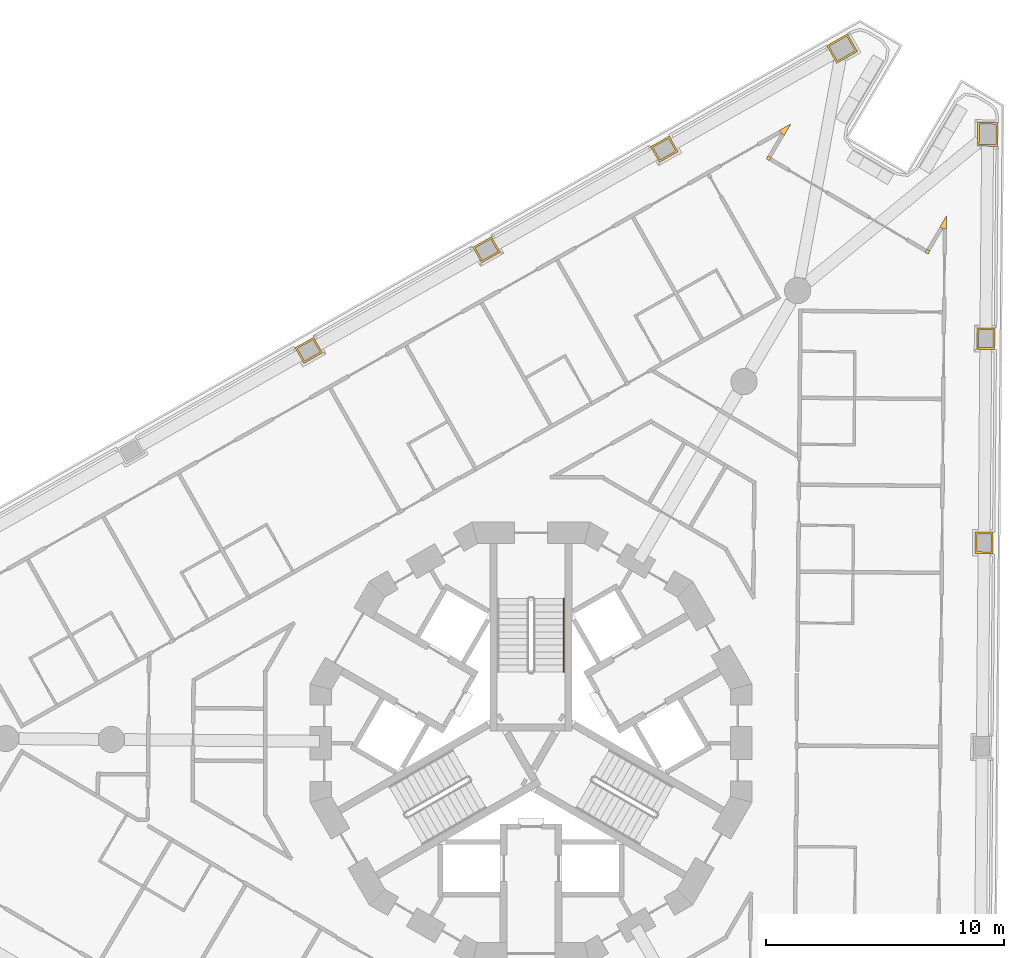
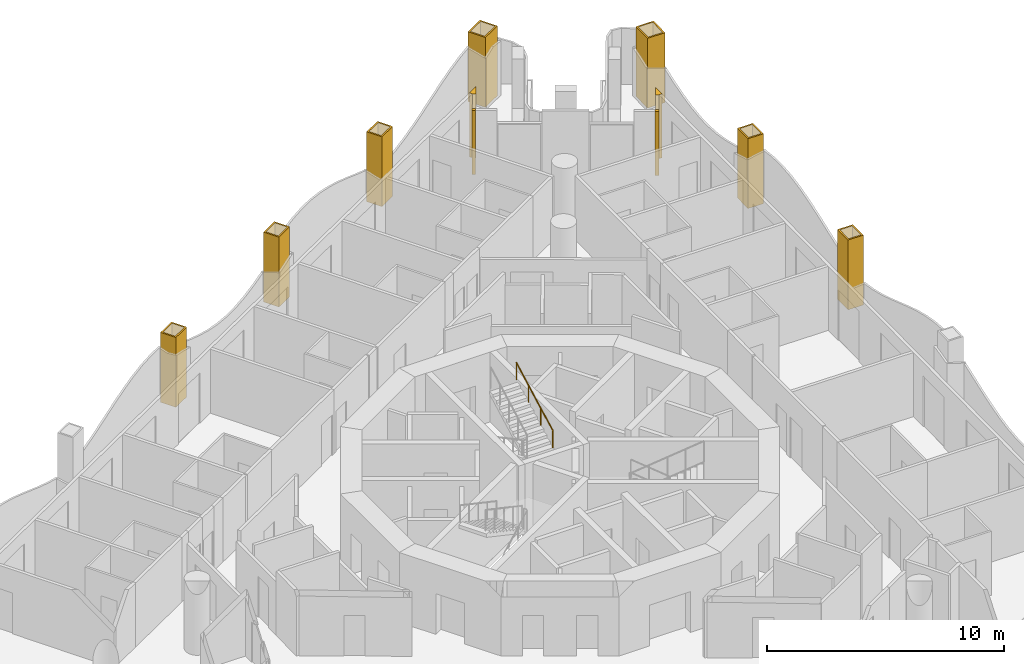
# One storey, part 17 of 18: 11 coverings, 1 railing.
"""IFC4 building model written with IfcOpenShell, lengths in metres."""

from ifc_helpers import new_model, si_unit, direction, frame, origin, origin_2d, place, context, subcontext, project, spatial, polyline, circle, outline, extrude, material, layer, layer_set, type_object, element, save


model = new_model("IFC4")

# Units and contexts
model_context = context("Model", 3, precision=1e-05, world=origin(), true_north=direction((0.0, 1.0)))
body_context = subcontext(model_context, "Body", "Model", "MODEL_VIEW")
ifc_project = project(units=[si_unit("LENGTHUNIT", "METRE"), si_unit("AREAUNIT", "SQUARE_METRE"), si_unit("VOLUMEUNIT", "CUBIC_METRE"), si_unit("PLANEANGLEUNIT", "RADIAN"), si_unit("MASSUNIT", "GRAM", prefix="KILO")], contexts=[model_context])

# Site, building, storey
site_placement = place(None, origin())
site = spatial("IfcSite", under=ifc_project, at=site_placement, CompositionType="ELEMENT")
building_placement = place(site_placement, origin())
building = spatial("IfcBuilding", under=site, at=building_placement, Name="Trine Commons Tower", CompositionType="ELEMENT")
storey_placement = place(building_placement, frame((0.0, 0.0, 175.5)))
storey = spatial("IfcBuildingStorey", under=building, at=storey_placement, Name="L45", CompositionType="ELEMENT", Elevation=175.5)

# Coverings
ifc_material_1 = material(Name="Aluminium-framed insulated wall panel", Category="aluminium")
ifc_layer_1 = layer(ifc_material_1, 0.14990234375)
ifc_layer_set_1 = layer_set([ifc_layer_1], Name="Aluminium-framed insulated wall panel")
covering_type_1 = type_object("IfcCoveringType", Name="Glazing corner post, aluminium", PredefinedType="CLADDING", material=ifc_layer_set_1)
covering_1_placement = place(storey_placement, origin())
element("IfcCovering", 1, at=covering_1_placement, inside=storey, type_object=covering_type_1, Name="Glazing corner post 5-05", PredefinedType="CLADDING", context=body_context, shape_type="SweptSolid", body=[
    extrude(outline(polyline([(90.626220703125, 88.007080078125), (90.910400390625, 88.489501953125), (90.423095703125, 88.213623046875), (90.496826171875, 88.083251953125), (90.626220703125, 88.007080078125)])), origin(), (0.0, 0.0, 1.0), 3.300048828125),
])
covering_2_placement = place(storey_placement, origin())
element("IfcCovering", 2, at=covering_2_placement, inside=storey, type_object=covering_type_1, Name="Glazing corner post 5-06", PredefinedType="CLADDING", context=body_context, shape_type="SweptSolid", body=[
    extrude(outline(polyline([(89.9990234375, 86.9423828125), (90.0751953125, 87.071533203125), (89.94580078125, 87.147705078125), (89.86962890625, 87.018310546875), (89.9990234375, 86.9423828125)])), origin(), (0.0, 0.0, 1.0), 3.300048828125),
])
covering_3_placement = place(storey_placement, origin())
element("IfcCovering", 3, at=covering_3_placement, inside=storey, type_object=covering_type_1, Name="Glazing corner post 5-07", PredefinedType="CLADDING", context=body_context, shape_type="SweptSolid", body=[
    extrude(outline(polyline([(96.530029296875, 83.09521484375), (96.659423828125, 83.01904296875), (96.735595703125, 83.148193359375), (96.606201171875, 83.224365234375), (96.530029296875, 83.09521484375)])), origin(), (0.0, 0.0, 1.0), 3.300048828125),
])
covering_4_placement = place(storey_placement, origin())
element("IfcCovering", 4, at=covering_4_placement, inside=storey, type_object=covering_type_1, Name="Glazing corner post 5-08", PredefinedType="CLADDING", context=body_context, shape_type="SweptSolid", body=[
    extrude(outline(polyline([(97.4365234375, 84.08251953125), (97.44140625, 84.64208984375), (97.1572265625, 84.159912109375), (97.28662109375, 84.083740234375), (97.4365234375, 84.08251953125)])), origin(), (0.0, 0.0, 1.0), 3.300048828125),
])
ifc_material_2 = material(Name="Limestone, honed", Category="masonry")
ifc_layer_2 = layer(ifc_material_2, 0.074951171875)
ifc_layer_set_2 = layer_set([ifc_layer_2], Name="Limestone, honed")
covering_type_2 = type_object("IfcCoveringType", Name="Limestone column cladding 75", PredefinedType="CLADDING", material=ifc_layer_set_2)
covering_5_placement = place(storey_placement, origin())
element("IfcCovering", 5, at=covering_5_placement, inside=storey, type_object=covering_type_2, Name="Limestone pier cladding 5-11", PredefinedType="CLADDING", context=body_context, shape_type="SweptSolid", body=[
    extrude(outline(polyline([(71.2509765625, 78.877685546875), (70.881591796875, 79.530517578125), (70.098388671875, 79.087158203125), (70.4677734375, 78.434326171875), (71.2509765625, 78.877685546875)]), holes=[polyline([(71.148681640625, 78.906005859375), (70.853515625, 79.42822265625), (70.20068359375, 79.058837890625), (70.49609375, 78.53662109375), (71.148681640625, 78.906005859375)])]), origin(), (0.0, 0.0, 1.0), 3.60009765625),
])
covering_6_placement = place(storey_placement, origin())
element("IfcCovering", 6, at=covering_6_placement, inside=storey, type_object=covering_type_2, Name="Limestone pier cladding 5-12", PredefinedType="CLADDING", context=body_context, shape_type="SweptSolid", body=[
    extrude(outline(polyline([(78.71044921875, 83.097900390625), (78.34130859375, 83.750732421875), (77.557861328125, 83.3076171875), (77.92724609375, 82.65478515625), (78.71044921875, 83.097900390625)]), holes=[polyline([(78.6083984375, 83.12646484375), (78.31298828125, 83.648681640625), (77.66015625, 83.279296875), (77.95556640625, 82.757080078125), (78.6083984375, 83.12646484375)])]), origin(), (0.0, 0.0, 1.0), 3.60009765625),
])
covering_7_placement = place(storey_placement, origin())
element("IfcCovering", 7, at=covering_7_placement, inside=storey, type_object=covering_type_2, Name="Limestone pier cladding 5-13", PredefinedType="CLADDING", context=body_context, shape_type="SweptSolid", body=[
    extrude(outline(polyline([(86.169921875, 87.318359375), (85.80078125, 87.97119140625), (85.017333984375, 87.52783203125), (85.38671875, 86.875), (86.169921875, 87.318359375)]), holes=[polyline([(86.06787109375, 87.3466796875), (85.7724609375, 87.868896484375), (85.11962890625, 87.49951171875), (85.4150390625, 86.977294921875), (86.06787109375, 87.3466796875)])]), origin(), (0.0, 0.0, 1.0), 3.60009765625),
])
covering_8_placement = place(storey_placement, origin())
element("IfcCovering", 8, at=covering_8_placement, inside=storey, type_object=covering_type_2, Name="Limestone pier cladding 5-14", PredefinedType="CLADDING", context=body_context, shape_type="SweptSolid", body=[
    extrude(outline(polyline([(93.697509765625, 91.519775390625), (93.279052734375, 92.259521484375), (92.40869140625, 91.76708984375), (92.8271484375, 91.02734375), (93.697509765625, 91.519775390625)]), holes=[polyline([(93.59521484375, 91.548095703125), (93.250732421875, 92.157470703125), (92.510986328125, 91.73876953125), (92.85546875, 91.129638671875), (93.59521484375, 91.548095703125)])]), origin(), (0.0, 0.0, 1.0), 3.60009765625),
])
covering_9_placement = place(storey_placement, origin())
element("IfcCovering", 9, at=covering_9_placement, inside=storey, type_object=covering_type_2, Name="Limestone pier cladding 5-15", PredefinedType="CLADDING", context=body_context, shape_type="SweptSolid", body=[
    extrude(outline(polyline([(99.590576171875, 88.5419921875), (98.740478515625, 88.54931640625), (98.73193359375, 87.54931640625), (99.581787109375, 87.5419921875), (99.590576171875, 88.5419921875)]), holes=[polyline([(99.514892578125, 88.467529296875), (98.81494140625, 88.4736328125), (98.8076171875, 87.623779296875), (99.507568359375, 87.61767578125), (99.514892578125, 88.467529296875)])]), origin(), (0.0, 0.0, 1.0), 3.60009765625),
])
covering_10_placement = place(storey_placement, origin())
element("IfcCovering", 10, at=covering_10_placement, inside=storey, type_object=covering_type_2, Name="Limestone pier cladding 5-16", PredefinedType="CLADDING", context=body_context, shape_type="SweptSolid", body=[
    extrude(outline(polyline([(99.46533203125, 79.922119140625), (98.71533203125, 79.9287109375), (98.70751953125, 79.028564453125), (99.45751953125, 79.02197265625), (99.46533203125, 79.922119140625)]), holes=[polyline([(99.3896484375, 79.84765625), (98.789794921875, 79.852783203125), (98.783203125, 79.102783203125), (99.383056640625, 79.09765625), (99.3896484375, 79.84765625)])]), origin(), (0.0, 0.0, 1.0), 3.60009765625),
])
covering_11_placement = place(storey_placement, origin())
element("IfcCovering", 11, at=covering_11_placement, inside=storey, type_object=covering_type_2, Name="Limestone pier cladding 5-17", PredefinedType="CLADDING", context=body_context, shape_type="SweptSolid", body=[
    extrude(outline(polyline([(99.390380859375, 71.351806640625), (98.640380859375, 71.3583984375), (98.6328125, 70.458251953125), (99.3828125, 70.45166015625), (99.390380859375, 71.351806640625)]), holes=[polyline([(99.31494140625, 71.27734375), (98.71484375, 71.28271484375), (98.708251953125, 70.53271484375), (99.308349609375, 70.52734375), (99.31494140625, 71.27734375)])]), origin(), (0.0, 0.0, 1.0), 3.60009765625),
])

# Railing
ifc_material_3 = material(Name="Stainless steel handrail", Category="steel")
railing_type = type_object("IfcRailingType", Name="Stair handrail, steel 900", PredefinedType="HANDRAIL", material=ifc_material_3)
railing_placement = place(storey_placement, frame((81.375, 65.490478515625, 1.949951171875)))
element("IfcRailing", 12, at=railing_placement, inside=storey, type_object=railing_type, Name="L45 ST1B stair handrail 2", PredefinedType="HANDRAIL", context=body_context, shape_type="SweptSolid", body=[
    extrude(circle(Radius=0.02099609375, at=origin_2d()), frame((0.0, 0.0, 0.87890625), z_axis=(0.0, 0.881467505477, 0.472244678941), x_axis=(-1.0, 0.0, 0.0)), (0.0, 0.0, 1.0), 3.494140625),
    extrude(circle(Radius=0.01513671875, at=origin_2d()), origin(), (0.0, 0.0, 1.0), 0.85791015625),
    extrude(circle(Radius=0.01513671875, at=origin_2d()), frame((0.0, 1.026611328125, 0.550048828125)), (0.0, 0.0, 1.0), 0.85791015625),
    extrude(circle(Radius=0.01513671875, at=origin_2d()), frame((0.0, 2.053466796875, 1.10009765625)), (0.0, 0.0, 1.0), 0.85791015625),
    extrude(circle(Radius=0.01513671875, at=origin_2d()), frame((0.0, 3.080078125, 1.650146484375)), (0.0, 0.0, 1.0), 0.85791015625),
])

save(model, "model.ifc")
